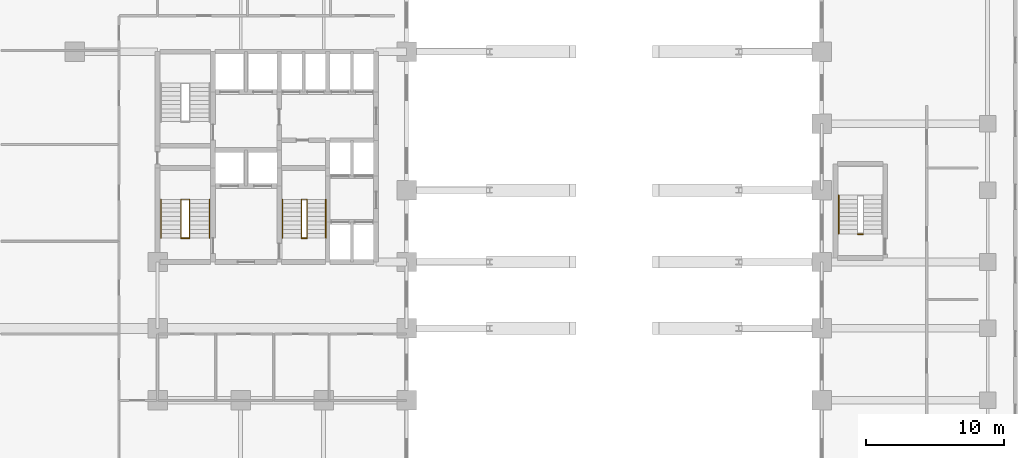
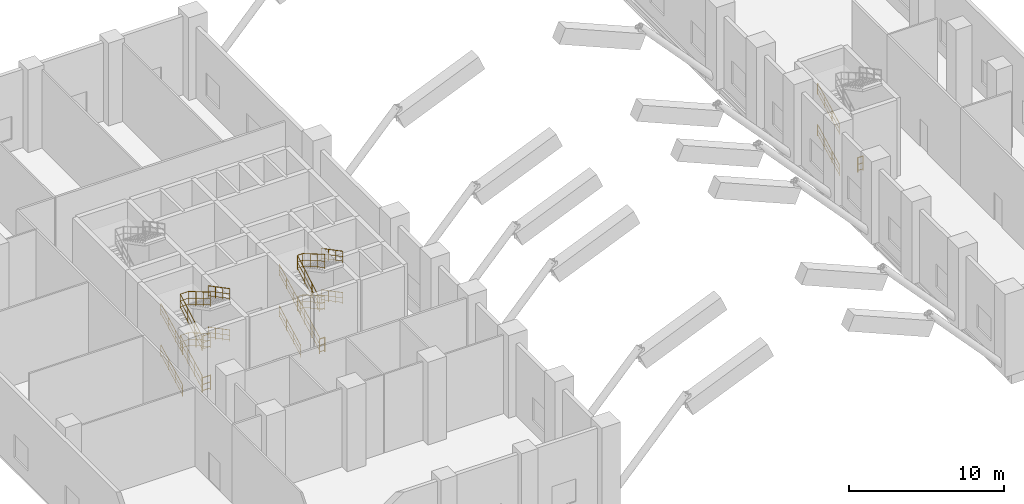
# One storey, part 9 of 10: 15 railings.
"""IFC4 building model written with IfcOpenShell, lengths in metres."""

from ifc_helpers import new_model, si_unit, direction, frame, origin, origin_2d, place, context, subcontext, project, spatial, circle, extrude, material, layer, layer_set, type_object, element, save


model = new_model("IFC4")

# Units and contexts
model_context = context("Model", 3, precision=1e-05, world=origin(), true_north=direction((0.0, 1.0)))
body_context = subcontext(model_context, "Body", "Model", "MODEL_VIEW")
ifc_project = project(units=[si_unit("LENGTHUNIT", "METRE"), si_unit("AREAUNIT", "SQUARE_METRE"), si_unit("VOLUMEUNIT", "CUBIC_METRE"), si_unit("PLANEANGLEUNIT", "RADIAN"), si_unit("MASSUNIT", "GRAM", prefix="KILO")], contexts=[model_context])

# Site, building, storey
site_placement = place(None, origin())
site = spatial("IfcSite", under=ifc_project, at=site_placement, CompositionType="ELEMENT")
building_placement = place(site_placement, origin())
building = spatial("IfcBuilding", under=site, at=building_placement, Name="Keshet Zoharim Tower", CompositionType="ELEMENT")
storey_placement = place(building_placement, frame((0.0, 0.0, 6.5)))
storey = spatial("IfcBuildingStorey", under=building, at=storey_placement, Name="L01", CompositionType="ELEMENT", Elevation=6.5)

# Railings
ifc_material = material(Name="Steel S355", Category="steel")
ifc_layer_1 = layer(ifc_material, 0.050048828125)
ifc_layer_set_1 = layer_set([ifc_layer_1], Name="Steel S355")
railing_type_1 = type_object("IfcRailingType", Name="RL-HND-092", PredefinedType="HANDRAIL", material=ifc_layer_set_1)
railing_1_placement = place(storey_placement, frame((15.239990234375, 24.43994140625, 0.16259765625)))
element("IfcRailing", 1, at=railing_1_placement, inside=storey, type_object=railing_type_1, Name="L01 ST-01 Flight 1 Wall Handrail", PredefinedType="HANDRAIL", context=body_context, shape_type="SweptSolid", body=[
    extrude(circle(Radius=0.02392578125, at=origin_2d()), frame((0.0, 0.0, 0.89599609375), z_axis=(0.0, 0.885707112116, 0.46424445236), x_axis=(-1.0, 0.0, 0.0)), (0.0, 0.0, 1.0), 3.150146484375),
    extrude(circle(Radius=0.01611328125, at=origin_2d()), frame((0.0, 0.0, 0.478271484375), z_axis=(0.0, 0.885707112116, 0.46424445236), x_axis=(-1.0, 0.0, 0.0)), (0.0, 0.0, 1.0), 3.150146484375),
    extrude(circle(Radius=0.01611328125, at=origin_2d()), frame((0.0, 0.0, 0.1201171875), z_axis=(0.0, 0.885707112116, 0.46424445236), x_axis=(-1.0, 0.0, 0.0)), (0.0, 0.0, 1.0), 3.150146484375),
    extrude(circle(Radius=0.02099609375, at=origin_2d()), origin(), (0.0, 0.0, 1.0), 0.871826171875),
    extrude(circle(Radius=0.02099609375, at=origin_2d()), frame((0.0, 0.929931640625, 0.487548828125)), (0.0, 0.0, 1.0), 0.871826171875),
    extrude(circle(Radius=0.02099609375, at=origin_2d()), frame((0.0, 1.860107421875, 0.974853515625)), (0.0, 0.0, 1.0), 0.871826171875),
    extrude(circle(Radius=0.02099609375, at=origin_2d()), frame((0.0, 2.7900390625, 1.46240234375)), (0.0, 0.0, 1.0), 0.871826171875),
])
railing_2_placement = place(storey_placement, frame((18.760009765625, 27.22998046875, 1.78759765625)))
element("IfcRailing", 2, at=railing_2_placement, inside=storey, type_object=railing_type_1, Name="L01 ST-01 Flight 2 Wall Handrail", PredefinedType="HANDRAIL", context=body_context, shape_type="SweptSolid", body=[
    extrude(circle(Radius=0.02392578125, at=origin_2d()), frame((0.0, 0.0, 0.89599609375), z_axis=(0.0, -0.885707112116, 0.46424445236), x_axis=(1.0, 0.0, 0.0)), (0.0, 0.0, 1.0), 3.150146484375),
    extrude(circle(Radius=0.01611328125, at=origin_2d()), frame((0.0, 0.0, 0.478271484375), z_axis=(0.0, -0.885707112116, 0.46424445236), x_axis=(1.0, 0.0, 0.0)), (0.0, 0.0, 1.0), 3.150146484375),
    extrude(circle(Radius=0.01611328125, at=origin_2d()), frame((0.0, 0.0, 0.1201171875), z_axis=(0.0, -0.885707112116, 0.46424445236), x_axis=(1.0, 0.0, 0.0)), (0.0, 0.0, 1.0), 3.150146484375),
    extrude(circle(Radius=0.02099609375, at=origin_2d()), origin(), (0.0, 0.0, 1.0), 0.871826171875),
    extrude(circle(Radius=0.02099609375, at=origin_2d()), frame((0.0, -0.929931640625, 0.487548828125)), (0.0, 0.0, 1.0), 0.871826171875),
    extrude(circle(Radius=0.02099609375, at=origin_2d()), frame((0.0, -1.860107421875, 0.974853515625)), (0.0, 0.0, 1.0), 0.871826171875),
    extrude(circle(Radius=0.02099609375, at=origin_2d()), frame((0.0, -2.7900390625, 1.46240234375)), (0.0, 0.0, 1.0), 0.871826171875),
])
railing_3_placement = place(storey_placement, frame((15.239990234375, 24.43994140625, 3.41259765625)))
element("IfcRailing", 3, at=railing_3_placement, inside=storey, type_object=railing_type_1, Name="L01 ST-01 Flight 3 Wall Handrail", PredefinedType="HANDRAIL", context=body_context, shape_type="SweptSolid", body=[
    extrude(circle(Radius=0.02392578125, at=origin_2d()), frame((0.0, 0.0, 0.89599609375), z_axis=(0.0, 0.885707112116, 0.46424445236), x_axis=(-1.0, 0.0, 0.0)), (0.0, 0.0, 1.0), 3.150146484375),
    extrude(circle(Radius=0.01611328125, at=origin_2d()), frame((0.0, 0.0, 0.478271484375), z_axis=(0.0, 0.885707112116, 0.46424445236), x_axis=(-1.0, 0.0, 0.0)), (0.0, 0.0, 1.0), 3.150146484375),
    extrude(circle(Radius=0.01611328125, at=origin_2d()), frame((0.0, 0.0, 0.1201171875), z_axis=(0.0, 0.885707112116, 0.46424445236), x_axis=(-1.0, 0.0, 0.0)), (0.0, 0.0, 1.0), 3.150146484375),
    extrude(circle(Radius=0.02099609375, at=origin_2d()), origin(), (0.0, 0.0, 1.0), 0.871826171875),
    extrude(circle(Radius=0.02099609375, at=origin_2d()), frame((0.0, 0.929931640625, 0.487548828125)), (0.0, 0.0, 1.0), 0.871826171875),
    extrude(circle(Radius=0.02099609375, at=origin_2d()), frame((0.0, 1.860107421875, 0.974853515625)), (0.0, 0.0, 1.0), 0.871826171875),
    extrude(circle(Radius=0.02099609375, at=origin_2d()), frame((0.0, 2.7900390625, 1.46240234375)), (0.0, 0.0, 1.0), 0.871826171875),
])
railing_4_placement = place(storey_placement, frame((18.760009765625, 27.22998046875, 5.03759765625)))
element("IfcRailing", 4, at=railing_4_placement, inside=storey, type_object=railing_type_1, Name="L01 ST-01 Flight 4 Wall Handrail", PredefinedType="HANDRAIL", context=body_context, shape_type="SweptSolid", body=[
    extrude(circle(Radius=0.02392578125, at=origin_2d()), frame((0.0, 0.0, 0.89599609375), z_axis=(0.0, -0.885707112116, 0.46424445236), x_axis=(1.0, 0.0, 0.0)), (0.0, 0.0, 1.0), 3.150146484375),
    extrude(circle(Radius=0.01611328125, at=origin_2d()), frame((0.0, 0.0, 0.478271484375), z_axis=(0.0, -0.885707112116, 0.46424445236), x_axis=(1.0, 0.0, 0.0)), (0.0, 0.0, 1.0), 3.150146484375),
    extrude(circle(Radius=0.01611328125, at=origin_2d()), frame((0.0, 0.0, 0.1201171875), z_axis=(0.0, -0.885707112116, 0.46424445236), x_axis=(1.0, 0.0, 0.0)), (0.0, 0.0, 1.0), 3.150146484375),
    extrude(circle(Radius=0.02099609375, at=origin_2d()), origin(), (0.0, 0.0, 1.0), 0.871826171875),
    extrude(circle(Radius=0.02099609375, at=origin_2d()), frame((0.0, -0.929931640625, 0.487548828125)), (0.0, 0.0, 1.0), 0.871826171875),
    extrude(circle(Radius=0.02099609375, at=origin_2d()), frame((0.0, -1.860107421875, 0.974853515625)), (0.0, 0.0, 1.0), 0.871826171875),
    extrude(circle(Radius=0.02099609375, at=origin_2d()), frame((0.0, -2.7900390625, 1.46240234375)), (0.0, 0.0, 1.0), 0.871826171875),
])
railing_5_placement = place(storey_placement, frame((24.0400390625, 24.43994140625, 0.16259765625)))
element("IfcRailing", 5, at=railing_5_placement, inside=storey, type_object=railing_type_1, Name="L01 ST-03 Flight 1 Wall Handrail", PredefinedType="HANDRAIL", context=body_context, shape_type="SweptSolid", body=[
    extrude(circle(Radius=0.02392578125, at=origin_2d()), frame((0.0, 0.0, 0.89599609375), z_axis=(0.0, 0.885707112116, 0.46424445236), x_axis=(-1.0, 0.0, 0.0)), (0.0, 0.0, 1.0), 3.150146484375),
    extrude(circle(Radius=0.01611328125, at=origin_2d()), frame((0.0, 0.0, 0.478271484375), z_axis=(0.0, 0.885707112116, 0.46424445236), x_axis=(-1.0, 0.0, 0.0)), (0.0, 0.0, 1.0), 3.150146484375),
    extrude(circle(Radius=0.01611328125, at=origin_2d()), frame((0.0, 0.0, 0.1201171875), z_axis=(0.0, 0.885707112116, 0.46424445236), x_axis=(-1.0, 0.0, 0.0)), (0.0, 0.0, 1.0), 3.150146484375),
    extrude(circle(Radius=0.02099609375, at=origin_2d()), origin(), (0.0, 0.0, 1.0), 0.871826171875),
    extrude(circle(Radius=0.02099609375, at=origin_2d()), frame((0.0, 0.929931640625, 0.487548828125)), (0.0, 0.0, 1.0), 0.871826171875),
    extrude(circle(Radius=0.02099609375, at=origin_2d()), frame((0.0, 1.860107421875, 0.974853515625)), (0.0, 0.0, 1.0), 0.871826171875),
    extrude(circle(Radius=0.02099609375, at=origin_2d()), frame((0.0, 2.7900390625, 1.46240234375)), (0.0, 0.0, 1.0), 0.871826171875),
])
railing_6_placement = place(storey_placement, frame((27.159912109375, 27.22998046875, 1.78759765625)))
element("IfcRailing", 6, at=railing_6_placement, inside=storey, type_object=railing_type_1, Name="L01 ST-03 Flight 2 Wall Handrail", PredefinedType="HANDRAIL", context=body_context, shape_type="SweptSolid", body=[
    extrude(circle(Radius=0.02392578125, at=origin_2d()), frame((0.0, 0.0, 0.89599609375), z_axis=(0.0, -0.885707112116, 0.46424445236), x_axis=(1.0, 0.0, 0.0)), (0.0, 0.0, 1.0), 3.150146484375),
    extrude(circle(Radius=0.01611328125, at=origin_2d()), frame((0.0, 0.0, 0.478271484375), z_axis=(0.0, -0.885707112116, 0.46424445236), x_axis=(1.0, 0.0, 0.0)), (0.0, 0.0, 1.0), 3.150146484375),
    extrude(circle(Radius=0.01611328125, at=origin_2d()), frame((0.0, 0.0, 0.1201171875), z_axis=(0.0, -0.885707112116, 0.46424445236), x_axis=(1.0, 0.0, 0.0)), (0.0, 0.0, 1.0), 3.150146484375),
    extrude(circle(Radius=0.02099609375, at=origin_2d()), origin(), (0.0, 0.0, 1.0), 0.871826171875),
    extrude(circle(Radius=0.02099609375, at=origin_2d()), frame((0.0, -0.929931640625, 0.487548828125)), (0.0, 0.0, 1.0), 0.871826171875),
    extrude(circle(Radius=0.02099609375, at=origin_2d()), frame((0.0, -1.860107421875, 0.974853515625)), (0.0, 0.0, 1.0), 0.871826171875),
    extrude(circle(Radius=0.02099609375, at=origin_2d()), frame((0.0, -2.7900390625, 1.46240234375)), (0.0, 0.0, 1.0), 0.871826171875),
])
railing_7_placement = place(storey_placement, frame((24.0400390625, 24.43994140625, 3.41259765625)))
element("IfcRailing", 7, at=railing_7_placement, inside=storey, type_object=railing_type_1, Name="L01 ST-03 Flight 3 Wall Handrail", PredefinedType="HANDRAIL", context=body_context, shape_type="SweptSolid", body=[
    extrude(circle(Radius=0.02392578125, at=origin_2d()), frame((0.0, 0.0, 0.89599609375), z_axis=(0.0, 0.885707112116, 0.46424445236), x_axis=(-1.0, 0.0, 0.0)), (0.0, 0.0, 1.0), 3.150146484375),
    extrude(circle(Radius=0.01611328125, at=origin_2d()), frame((0.0, 0.0, 0.478271484375), z_axis=(0.0, 0.885707112116, 0.46424445236), x_axis=(-1.0, 0.0, 0.0)), (0.0, 0.0, 1.0), 3.150146484375),
    extrude(circle(Radius=0.01611328125, at=origin_2d()), frame((0.0, 0.0, 0.1201171875), z_axis=(0.0, 0.885707112116, 0.46424445236), x_axis=(-1.0, 0.0, 0.0)), (0.0, 0.0, 1.0), 3.150146484375),
    extrude(circle(Radius=0.02099609375, at=origin_2d()), origin(), (0.0, 0.0, 1.0), 0.871826171875),
    extrude(circle(Radius=0.02099609375, at=origin_2d()), frame((0.0, 0.929931640625, 0.487548828125)), (0.0, 0.0, 1.0), 0.871826171875),
    extrude(circle(Radius=0.02099609375, at=origin_2d()), frame((0.0, 1.860107421875, 0.974853515625)), (0.0, 0.0, 1.0), 0.871826171875),
    extrude(circle(Radius=0.02099609375, at=origin_2d()), frame((0.0, 2.7900390625, 1.46240234375)), (0.0, 0.0, 1.0), 0.871826171875),
])
railing_8_placement = place(storey_placement, frame((27.159912109375, 27.22998046875, 5.03759765625)))
element("IfcRailing", 8, at=railing_8_placement, inside=storey, type_object=railing_type_1, Name="L01 ST-03 Flight 4 Wall Handrail", PredefinedType="HANDRAIL", context=body_context, shape_type="SweptSolid", body=[
    extrude(circle(Radius=0.02392578125, at=origin_2d()), frame((0.0, 0.0, 0.89599609375), z_axis=(0.0, -0.885707112116, 0.46424445236), x_axis=(1.0, 0.0, 0.0)), (0.0, 0.0, 1.0), 3.150146484375),
    extrude(circle(Radius=0.01611328125, at=origin_2d()), frame((0.0, 0.0, 0.478271484375), z_axis=(0.0, -0.885707112116, 0.46424445236), x_axis=(1.0, 0.0, 0.0)), (0.0, 0.0, 1.0), 3.150146484375),
    extrude(circle(Radius=0.01611328125, at=origin_2d()), frame((0.0, 0.0, 0.1201171875), z_axis=(0.0, -0.885707112116, 0.46424445236), x_axis=(1.0, 0.0, 0.0)), (0.0, 0.0, 1.0), 3.150146484375),
    extrude(circle(Radius=0.02099609375, at=origin_2d()), origin(), (0.0, 0.0, 1.0), 0.871826171875),
    extrude(circle(Radius=0.02099609375, at=origin_2d()), frame((0.0, -0.929931640625, 0.487548828125)), (0.0, 0.0, 1.0), 0.871826171875),
    extrude(circle(Radius=0.02099609375, at=origin_2d()), frame((0.0, -1.860107421875, 0.974853515625)), (0.0, 0.0, 1.0), 0.871826171875),
    extrude(circle(Radius=0.02099609375, at=origin_2d()), frame((0.0, -2.7900390625, 1.46240234375)), (0.0, 0.0, 1.0), 0.871826171875),
])
for number, where, name in (
    (9, (64.239990234375, 24.739990234375, 0.16259765625), "L01 ST-04 Flight 1 Wall Handrail"),
    (10, (64.239990234375, 24.739990234375, 3.41259765625), "L01 ST-04 Flight 3 Wall Handrail"),
):
    element("IfcRailing", number, at=place(storey_placement, frame(where)), inside=storey, type_object=railing_type_1, Name=name, PredefinedType="HANDRAIL", context=body_context, shape_type="SweptSolid", body=[
        extrude(circle(Radius=0.02392578125, at=origin_2d()), frame((0.0, 0.0, 0.89599609375), z_axis=(0.0, 0.885707112116, 0.46424445236), x_axis=(-1.0, 0.0, 0.0)), (0.0, 0.0, 1.0), 3.150146484375),
        extrude(circle(Radius=0.01611328125, at=origin_2d()), frame((0.0, 0.0, 0.478271484375), z_axis=(0.0, 0.885707112116, 0.46424445236), x_axis=(-1.0, 0.0, 0.0)), (0.0, 0.0, 1.0), 3.150146484375),
        extrude(circle(Radius=0.01611328125, at=origin_2d()), frame((0.0, 0.0, 0.1201171875), z_axis=(0.0, 0.885707112116, 0.46424445236), x_axis=(-1.0, 0.0, 0.0)), (0.0, 0.0, 1.0), 3.150146484375),
        extrude(circle(Radius=0.02099609375, at=origin_2d()), origin(), (0.0, 0.0, 1.0), 0.871826171875),
        extrude(circle(Radius=0.02099609375, at=origin_2d()), frame((0.0, 0.929931640625, 0.487548828125)), (0.0, 0.0, 1.0), 0.871826171875),
        extrude(circle(Radius=0.02099609375, at=origin_2d()), frame((0.0, 1.860107421875, 0.974853515625)), (0.0, 0.0, 1.0), 0.871826171875),
        extrude(circle(Radius=0.02099609375, at=origin_2d()), frame((0.0, 2.7900390625, 1.46240234375)), (0.0, 0.0, 1.0), 0.871826171875),
    ])
ifc_layer_2 = layer(ifc_material, 0.06005859375)
ifc_layer_set_2 = layer_set([ifc_layer_2], Name="Steel S355")
railing_type_2 = type_object("IfcRailingType", Name="RL-STG-115", PredefinedType="GUARDRAIL", material=ifc_layer_set_2)
railing_9_placement = place(storey_placement, frame((16.68994140625, 24.43994140625, 0.16259765625)))
element("IfcRailing", 11, at=railing_9_placement, inside=storey, type_object=railing_type_2, Name="L01 ST-01 Inner Well Guardrail", PredefinedType="GUARDRAIL", context=body_context, shape_type="SweptSolid", body=[
    extrude(circle(Radius=0.02392578125, at=origin_2d()), frame((0.0, 0.0, 1.1259765625), z_axis=(0.0, 0.885707112116, 0.46424445236), x_axis=(-1.0, 0.0, 0.0)), (0.0, 0.0, 1.0), 3.150146484375),
    extrude(circle(Radius=0.01611328125, at=origin_2d()), frame((0.0, 0.0, 0.597900390625), z_axis=(0.0, 0.885707112116, 0.46424445236), x_axis=(-1.0, 0.0, 0.0)), (0.0, 0.0, 1.0), 3.150146484375),
    extrude(circle(Radius=0.01611328125, at=origin_2d()), frame((0.0, 0.0, 0.1201171875), z_axis=(0.0, 0.885707112116, 0.46424445236), x_axis=(-1.0, 0.0, 0.0)), (0.0, 0.0, 1.0), 3.150146484375),
    extrude(circle(Radius=0.02392578125, at=origin_2d()), frame((0.0, 2.7900390625, 2.58837890625), z_axis=(1.0, 0.0, 0.0), x_axis=(0.0, 1.0, 0.0)), (0.0, 0.0, 1.0), 0.6201171875),
    extrude(circle(Radius=0.01611328125, at=origin_2d()), frame((0.0, 2.7900390625, 2.060302734375), z_axis=(1.0, 0.0, 0.0), x_axis=(0.0, 1.0, 0.0)), (0.0, 0.0, 1.0), 0.6201171875),
    extrude(circle(Radius=0.01611328125, at=origin_2d()), frame((0.0, 2.7900390625, 1.58251953125), z_axis=(1.0, 0.0, 0.0), x_axis=(0.0, 1.0, 0.0)), (0.0, 0.0, 1.0), 0.6201171875),
    extrude(circle(Radius=0.02392578125, at=origin_2d()), frame((0.6201171875, 2.7900390625, 2.58837890625), z_axis=(0.0, -0.864118772059, 0.503287937244), x_axis=(1.0, 0.0, 0.0)), (0.0, 0.0, 1.0), 3.228759765625),
    extrude(circle(Radius=0.01611328125, at=origin_2d()), frame((0.6201171875, 2.7900390625, 2.060302734375), z_axis=(0.0, -0.864118772059, 0.503287937244), x_axis=(1.0, 0.0, 0.0)), (0.0, 0.0, 1.0), 3.228759765625),
    extrude(circle(Radius=0.01611328125, at=origin_2d()), frame((0.6201171875, 2.7900390625, 1.58251953125), z_axis=(0.0, -0.864118772059, 0.503287937244), x_axis=(1.0, 0.0, 0.0)), (0.0, 0.0, 1.0), 3.228759765625),
    extrude(circle(Radius=0.02392578125, at=origin_2d()), frame((0.6201171875, 0.0, 4.21337890625), z_axis=(-1.0, 0.0, 0.0), x_axis=(0.0, -1.0, 0.0)), (0.0, 0.0, 1.0), 0.6201171875),
    extrude(circle(Radius=0.01611328125, at=origin_2d()), frame((0.6201171875, 0.0, 3.685302734375), z_axis=(-1.0, 0.0, 0.0), x_axis=(0.0, -1.0, 0.0)), (0.0, 0.0, 1.0), 0.6201171875),
    extrude(circle(Radius=0.01611328125, at=origin_2d()), frame((0.6201171875, 0.0, 3.20751953125), z_axis=(-1.0, 0.0, 0.0), x_axis=(0.0, -1.0, 0.0)), (0.0, 0.0, 1.0), 0.6201171875),
    extrude(circle(Radius=0.02392578125, at=origin_2d()), frame((0.0, 0.0, 4.21337890625), z_axis=(0.0, 0.864118772059, 0.503287937244), x_axis=(-1.0, 0.0, 0.0)), (0.0, 0.0, 1.0), 3.228759765625),
    extrude(circle(Radius=0.01611328125, at=origin_2d()), frame((0.0, 0.0, 3.685302734375), z_axis=(0.0, 0.864118772059, 0.503287937244), x_axis=(-1.0, 0.0, 0.0)), (0.0, 0.0, 1.0), 3.228759765625),
    extrude(circle(Radius=0.01611328125, at=origin_2d()), frame((0.0, 0.0, 3.20751953125), z_axis=(0.0, 0.864118772059, 0.503287937244), x_axis=(-1.0, 0.0, 0.0)), (0.0, 0.0, 1.0), 3.228759765625),
    extrude(circle(Radius=0.02392578125, at=origin_2d()), frame((0.0, 2.7900390625, 5.83837890625), z_axis=(1.0, 0.0, 0.0), x_axis=(0.0, 1.0, 0.0)), (0.0, 0.0, 1.0), 0.6201171875),
    extrude(circle(Radius=0.01611328125, at=origin_2d()), frame((0.0, 2.7900390625, 5.310302734375), z_axis=(1.0, 0.0, 0.0), x_axis=(0.0, 1.0, 0.0)), (0.0, 0.0, 1.0), 0.6201171875),
    extrude(circle(Radius=0.01611328125, at=origin_2d()), frame((0.0, 2.7900390625, 4.83251953125), z_axis=(1.0, 0.0, 0.0), x_axis=(0.0, 1.0, 0.0)), (0.0, 0.0, 1.0), 0.6201171875),
    extrude(circle(Radius=0.02392578125, at=origin_2d()), frame((0.6201171875, 2.7900390625, 5.83837890625), z_axis=(0.0, -0.864118772059, 0.503287937244), x_axis=(1.0, 0.0, 0.0)), (0.0, 0.0, 1.0), 3.228759765625),
    extrude(circle(Radius=0.01611328125, at=origin_2d()), frame((0.6201171875, 2.7900390625, 5.310302734375), z_axis=(0.0, -0.864118772059, 0.503287937244), x_axis=(1.0, 0.0, 0.0)), (0.0, 0.0, 1.0), 3.228759765625),
    extrude(circle(Radius=0.01611328125, at=origin_2d()), frame((0.6201171875, 2.7900390625, 4.83251953125), z_axis=(0.0, -0.864118772059, 0.503287937244), x_axis=(1.0, 0.0, 0.0)), (0.0, 0.0, 1.0), 3.228759765625),
    extrude(circle(Radius=0.02099609375, at=origin_2d()), origin(), (0.0, 0.0, 1.0), 1.101806640625),
    extrude(circle(Radius=0.02099609375, at=origin_2d()), frame((0.0, 0.929931640625, 0.487548828125)), (0.0, 0.0, 1.0), 1.101806640625),
    extrude(circle(Radius=0.02099609375, at=origin_2d()), frame((0.0, 1.860107421875, 0.974853515625)), (0.0, 0.0, 1.0), 1.101806640625),
    extrude(circle(Radius=0.02099609375, at=origin_2d()), frame((0.0, 2.7900390625, 1.46240234375)), (0.0, 0.0, 1.0), 1.101806640625),
    extrude(circle(Radius=0.02099609375, at=origin_2d()), frame((0.6201171875, 2.7900390625, 1.46240234375)), (0.0, 0.0, 1.0), 1.101806640625),
    extrude(circle(Radius=0.02099609375, at=origin_2d()), frame((0.6201171875, 1.860107421875, 2.004150390625)), (0.0, 0.0, 1.0), 1.101806640625),
    extrude(circle(Radius=0.02099609375, at=origin_2d()), frame((0.6201171875, 0.929931640625, 2.545654296875)), (0.0, 0.0, 1.0), 1.101806640625),
    extrude(circle(Radius=0.02099609375, at=origin_2d()), frame((0.6201171875, 0.0, 3.08740234375)), (0.0, 0.0, 1.0), 1.101806640625),
    extrude(circle(Radius=0.02099609375, at=origin_2d()), frame((0.0, 0.0, 3.08740234375)), (0.0, 0.0, 1.0), 1.101806640625),
    extrude(circle(Radius=0.02099609375, at=origin_2d()), frame((0.0, 0.929931640625, 3.629150390625)), (0.0, 0.0, 1.0), 1.101806640625),
    extrude(circle(Radius=0.02099609375, at=origin_2d()), frame((0.0, 1.860107421875, 4.170654296875)), (0.0, 0.0, 1.0), 1.101806640625),
    extrude(circle(Radius=0.02099609375, at=origin_2d()), frame((0.0, 2.7900390625, 4.71240234375)), (0.0, 0.0, 1.0), 1.101806640625),
    extrude(circle(Radius=0.02099609375, at=origin_2d()), frame((0.6201171875, 2.7900390625, 4.71240234375)), (0.0, 0.0, 1.0), 1.101806640625),
    extrude(circle(Radius=0.02099609375, at=origin_2d()), frame((0.6201171875, 1.860107421875, 5.254150390625)), (0.0, 0.0, 1.0), 1.101806640625),
    extrude(circle(Radius=0.02099609375, at=origin_2d()), frame((0.6201171875, 0.929931640625, 5.795654296875)), (0.0, 0.0, 1.0), 1.101806640625),
    extrude(circle(Radius=0.02099609375, at=origin_2d()), frame((0.6201171875, 0.0, 6.33740234375)), (0.0, 0.0, 1.0), 1.101806640625),
])
railing_10_placement = place(storey_placement, frame((16.68994140625, 24.409912109375, 0.0)))
element("IfcRailing", 12, at=railing_10_placement, inside=storey, type_object=railing_type_2, Name="L01 ST-01 Stairwell Floor Guardrail", PredefinedType="GUARDRAIL", context=body_context, shape_type="SweptSolid", body=[
    extrude(circle(Radius=0.02392578125, at=origin_2d()), frame((0.0, 0.0, 1.1259765625), z_axis=(1.0, 0.0, 0.0), x_axis=(0.0, 1.0, 0.0)), (0.0, 0.0, 1.0), 0.6201171875),
    extrude(circle(Radius=0.01611328125, at=origin_2d()), frame((0.0, 0.0, 0.597900390625), z_axis=(1.0, 0.0, 0.0), x_axis=(0.0, 1.0, 0.0)), (0.0, 0.0, 1.0), 0.6201171875),
    extrude(circle(Radius=0.01611328125, at=origin_2d()), frame((0.0, 0.0, 0.1201171875), z_axis=(1.0, 0.0, 0.0), x_axis=(0.0, 1.0, 0.0)), (0.0, 0.0, 1.0), 0.6201171875),
    extrude(circle(Radius=0.02099609375, at=origin_2d()), origin(), (0.0, 0.0, 1.0), 1.101806640625),
    extrude(circle(Radius=0.02099609375, at=origin_2d()), frame((0.6201171875, 0.0, 0.0)), (0.0, 0.0, 1.0), 1.101806640625),
])
railing_11_placement = place(storey_placement, frame((25.39990234375, 24.43994140625, 0.16259765625)))
element("IfcRailing", 13, at=railing_11_placement, inside=storey, type_object=railing_type_2, Name="L01 ST-03 Inner Well Guardrail", PredefinedType="GUARDRAIL", context=body_context, shape_type="SweptSolid", body=[
    extrude(circle(Radius=0.02392578125, at=origin_2d()), frame((0.0, 0.0, 1.1259765625), z_axis=(0.0, 0.885707112116, 0.46424445236), x_axis=(-1.0, 0.0, 0.0)), (0.0, 0.0, 1.0), 3.150146484375),
    extrude(circle(Radius=0.01611328125, at=origin_2d()), frame((0.0, 0.0, 0.597900390625), z_axis=(0.0, 0.885707112116, 0.46424445236), x_axis=(-1.0, 0.0, 0.0)), (0.0, 0.0, 1.0), 3.150146484375),
    extrude(circle(Radius=0.01611328125, at=origin_2d()), frame((0.0, 0.0, 0.1201171875), z_axis=(0.0, 0.885707112116, 0.46424445236), x_axis=(-1.0, 0.0, 0.0)), (0.0, 0.0, 1.0), 3.150146484375),
    extrude(circle(Radius=0.02392578125, at=origin_2d()), frame((0.0, 2.7900390625, 2.58837890625), z_axis=(1.0, 0.0, 0.0), x_axis=(0.0, 1.0, 0.0)), (0.0, 0.0, 1.0), 0.400146484375),
    extrude(circle(Radius=0.01611328125, at=origin_2d()), frame((0.0, 2.7900390625, 2.060302734375), z_axis=(1.0, 0.0, 0.0), x_axis=(0.0, 1.0, 0.0)), (0.0, 0.0, 1.0), 0.400146484375),
    extrude(circle(Radius=0.01611328125, at=origin_2d()), frame((0.0, 2.7900390625, 1.58251953125), z_axis=(1.0, 0.0, 0.0), x_axis=(0.0, 1.0, 0.0)), (0.0, 0.0, 1.0), 0.400146484375),
    extrude(circle(Radius=0.02392578125, at=origin_2d()), frame((0.400146484375, 2.7900390625, 2.58837890625), z_axis=(0.0, -0.864118772059, 0.503287937244), x_axis=(1.0, 0.0, 0.0)), (0.0, 0.0, 1.0), 3.228759765625),
    extrude(circle(Radius=0.01611328125, at=origin_2d()), frame((0.400146484375, 2.7900390625, 2.060302734375), z_axis=(0.0, -0.864118772059, 0.503287937244), x_axis=(1.0, 0.0, 0.0)), (0.0, 0.0, 1.0), 3.228759765625),
    extrude(circle(Radius=0.01611328125, at=origin_2d()), frame((0.400146484375, 2.7900390625, 1.58251953125), z_axis=(0.0, -0.864118772059, 0.503287937244), x_axis=(1.0, 0.0, 0.0)), (0.0, 0.0, 1.0), 3.228759765625),
    extrude(circle(Radius=0.02392578125, at=origin_2d()), frame((0.400146484375, 0.0, 4.21337890625), z_axis=(-1.0, 0.0, 0.0), x_axis=(0.0, -1.0, 0.0)), (0.0, 0.0, 1.0), 0.400146484375),
    extrude(circle(Radius=0.01611328125, at=origin_2d()), frame((0.400146484375, 0.0, 3.685302734375), z_axis=(-1.0, 0.0, 0.0), x_axis=(0.0, -1.0, 0.0)), (0.0, 0.0, 1.0), 0.400146484375),
    extrude(circle(Radius=0.01611328125, at=origin_2d()), frame((0.400146484375, 0.0, 3.20751953125), z_axis=(-1.0, 0.0, 0.0), x_axis=(0.0, -1.0, 0.0)), (0.0, 0.0, 1.0), 0.400146484375),
    extrude(circle(Radius=0.02392578125, at=origin_2d()), frame((0.0, 0.0, 4.21337890625), z_axis=(0.0, 0.864118772059, 0.503287937244), x_axis=(-1.0, 0.0, 0.0)), (0.0, 0.0, 1.0), 3.228759765625),
    extrude(circle(Radius=0.01611328125, at=origin_2d()), frame((0.0, 0.0, 3.685302734375), z_axis=(0.0, 0.864118772059, 0.503287937244), x_axis=(-1.0, 0.0, 0.0)), (0.0, 0.0, 1.0), 3.228759765625),
    extrude(circle(Radius=0.01611328125, at=origin_2d()), frame((0.0, 0.0, 3.20751953125), z_axis=(0.0, 0.864118772059, 0.503287937244), x_axis=(-1.0, 0.0, 0.0)), (0.0, 0.0, 1.0), 3.228759765625),
    extrude(circle(Radius=0.02392578125, at=origin_2d()), frame((0.0, 2.7900390625, 5.83837890625), z_axis=(1.0, 0.0, 0.0), x_axis=(0.0, 1.0, 0.0)), (0.0, 0.0, 1.0), 0.400146484375),
    extrude(circle(Radius=0.01611328125, at=origin_2d()), frame((0.0, 2.7900390625, 5.310302734375), z_axis=(1.0, 0.0, 0.0), x_axis=(0.0, 1.0, 0.0)), (0.0, 0.0, 1.0), 0.400146484375),
    extrude(circle(Radius=0.01611328125, at=origin_2d()), frame((0.0, 2.7900390625, 4.83251953125), z_axis=(1.0, 0.0, 0.0), x_axis=(0.0, 1.0, 0.0)), (0.0, 0.0, 1.0), 0.400146484375),
    extrude(circle(Radius=0.02392578125, at=origin_2d()), frame((0.400146484375, 2.7900390625, 5.83837890625), z_axis=(0.0, -0.864118772059, 0.503287937244), x_axis=(1.0, 0.0, 0.0)), (0.0, 0.0, 1.0), 3.228759765625),
    extrude(circle(Radius=0.01611328125, at=origin_2d()), frame((0.400146484375, 2.7900390625, 5.310302734375), z_axis=(0.0, -0.864118772059, 0.503287937244), x_axis=(1.0, 0.0, 0.0)), (0.0, 0.0, 1.0), 3.228759765625),
    extrude(circle(Radius=0.01611328125, at=origin_2d()), frame((0.400146484375, 2.7900390625, 4.83251953125), z_axis=(0.0, -0.864118772059, 0.503287937244), x_axis=(1.0, 0.0, 0.0)), (0.0, 0.0, 1.0), 3.228759765625),
    extrude(circle(Radius=0.02099609375, at=origin_2d()), origin(), (0.0, 0.0, 1.0), 1.101806640625),
    extrude(circle(Radius=0.02099609375, at=origin_2d()), frame((0.0, 0.929931640625, 0.487548828125)), (0.0, 0.0, 1.0), 1.101806640625),
    extrude(circle(Radius=0.02099609375, at=origin_2d()), frame((0.0, 1.860107421875, 0.974853515625)), (0.0, 0.0, 1.0), 1.101806640625),
    extrude(circle(Radius=0.02099609375, at=origin_2d()), frame((0.0, 2.7900390625, 1.46240234375)), (0.0, 0.0, 1.0), 1.101806640625),
    extrude(circle(Radius=0.02099609375, at=origin_2d()), frame((0.400146484375, 2.7900390625, 1.46240234375)), (0.0, 0.0, 1.0), 1.101806640625),
    extrude(circle(Radius=0.02099609375, at=origin_2d()), frame((0.400146484375, 1.860107421875, 2.004150390625)), (0.0, 0.0, 1.0), 1.101806640625),
    extrude(circle(Radius=0.02099609375, at=origin_2d()), frame((0.400146484375, 0.929931640625, 2.545654296875)), (0.0, 0.0, 1.0), 1.101806640625),
    extrude(circle(Radius=0.02099609375, at=origin_2d()), frame((0.400146484375, 0.0, 3.08740234375)), (0.0, 0.0, 1.0), 1.101806640625),
    extrude(circle(Radius=0.02099609375, at=origin_2d()), frame((0.0, 0.0, 3.08740234375)), (0.0, 0.0, 1.0), 1.101806640625),
    extrude(circle(Radius=0.02099609375, at=origin_2d()), frame((0.0, 0.929931640625, 3.629150390625)), (0.0, 0.0, 1.0), 1.101806640625),
    extrude(circle(Radius=0.02099609375, at=origin_2d()), frame((0.0, 1.860107421875, 4.170654296875)), (0.0, 0.0, 1.0), 1.101806640625),
    extrude(circle(Radius=0.02099609375, at=origin_2d()), frame((0.0, 2.7900390625, 4.71240234375)), (0.0, 0.0, 1.0), 1.101806640625),
    extrude(circle(Radius=0.02099609375, at=origin_2d()), frame((0.400146484375, 2.7900390625, 4.71240234375)), (0.0, 0.0, 1.0), 1.101806640625),
    extrude(circle(Radius=0.02099609375, at=origin_2d()), frame((0.400146484375, 1.860107421875, 5.254150390625)), (0.0, 0.0, 1.0), 1.101806640625),
    extrude(circle(Radius=0.02099609375, at=origin_2d()), frame((0.400146484375, 0.929931640625, 5.795654296875)), (0.0, 0.0, 1.0), 1.101806640625),
    extrude(circle(Radius=0.02099609375, at=origin_2d()), frame((0.400146484375, 0.0, 6.33740234375)), (0.0, 0.0, 1.0), 1.101806640625),
])
railing_12_placement = place(storey_placement, frame((25.39990234375, 24.409912109375, 0.0)))
element("IfcRailing", 14, at=railing_12_placement, inside=storey, type_object=railing_type_2, Name="L01 ST-03 Stairwell Floor Guardrail", PredefinedType="GUARDRAIL", context=body_context, shape_type="SweptSolid", body=[
    extrude(circle(Radius=0.02392578125, at=origin_2d()), frame((0.0, 0.0, 1.1259765625), z_axis=(1.0, 0.0, 0.0), x_axis=(0.0, 1.0, 0.0)), (0.0, 0.0, 1.0), 0.400146484375),
    extrude(circle(Radius=0.01611328125, at=origin_2d()), frame((0.0, 0.0, 0.597900390625), z_axis=(1.0, 0.0, 0.0), x_axis=(0.0, 1.0, 0.0)), (0.0, 0.0, 1.0), 0.400146484375),
    extrude(circle(Radius=0.01611328125, at=origin_2d()), frame((0.0, 0.0, 0.1201171875), z_axis=(1.0, 0.0, 0.0), x_axis=(0.0, 1.0, 0.0)), (0.0, 0.0, 1.0), 0.400146484375),
    extrude(circle(Radius=0.02099609375, at=origin_2d()), origin(), (0.0, 0.0, 1.0), 1.101806640625),
    extrude(circle(Radius=0.02099609375, at=origin_2d()), frame((0.400146484375, 0.0, 0.0)), (0.0, 0.0, 1.0), 1.101806640625),
])
railing_13_placement = place(storey_placement, frame((65.60009765625, 24.7099609375, 0.0)))
element("IfcRailing", 15, at=railing_13_placement, inside=storey, type_object=railing_type_2, Name="L01 ST-04 Stairwell Floor Guardrail", PredefinedType="GUARDRAIL", context=body_context, shape_type="SweptSolid", body=[
    extrude(circle(Radius=0.02392578125, at=origin_2d()), frame((0.0, 0.0, 1.1259765625), z_axis=(1.0, 0.0, 0.0), x_axis=(0.0, 1.0, 0.0)), (0.0, 0.0, 1.0), 0.39990234375),
    extrude(circle(Radius=0.01611328125, at=origin_2d()), frame((0.0, 0.0, 0.597900390625), z_axis=(1.0, 0.0, 0.0), x_axis=(0.0, 1.0, 0.0)), (0.0, 0.0, 1.0), 0.39990234375),
    extrude(circle(Radius=0.01611328125, at=origin_2d()), frame((0.0, 0.0, 0.1201171875), z_axis=(1.0, 0.0, 0.0), x_axis=(0.0, 1.0, 0.0)), (0.0, 0.0, 1.0), 0.39990234375),
    extrude(circle(Radius=0.02099609375, at=origin_2d()), origin(), (0.0, 0.0, 1.0), 1.101806640625),
    extrude(circle(Radius=0.02099609375, at=origin_2d()), frame((0.39990234375, 0.0, 0.0)), (0.0, 0.0, 1.0), 1.101806640625),
])

save(model, "model.ifc")
